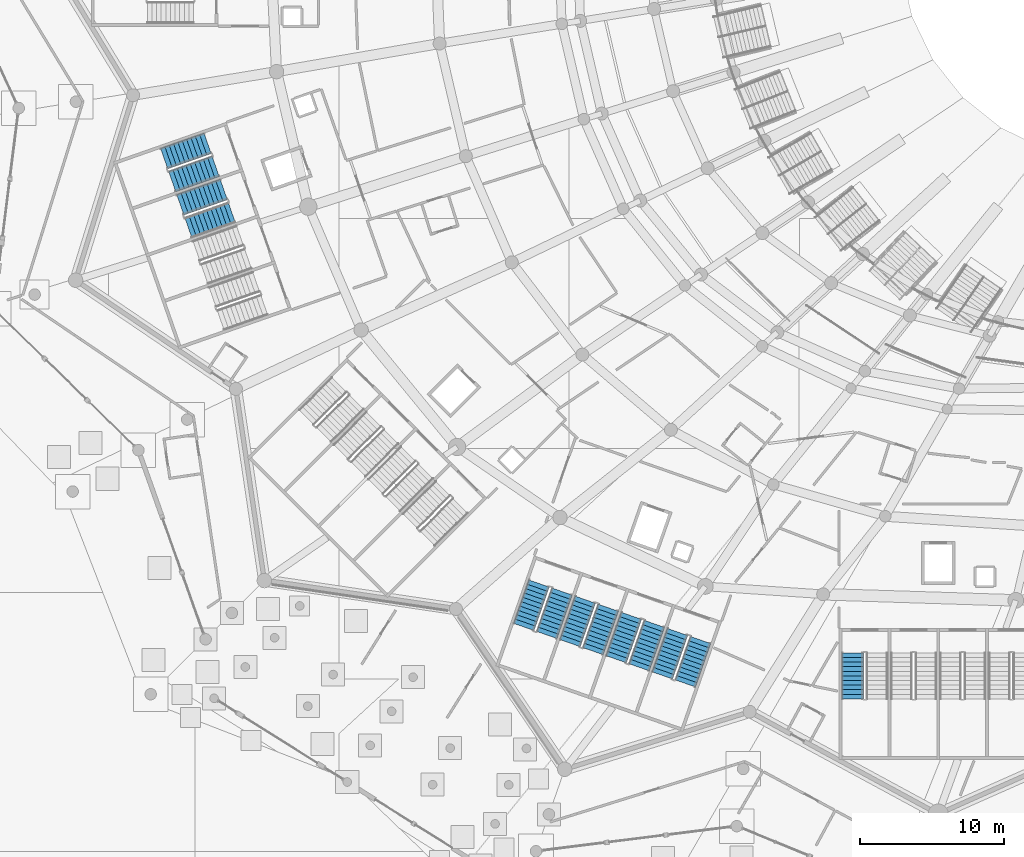
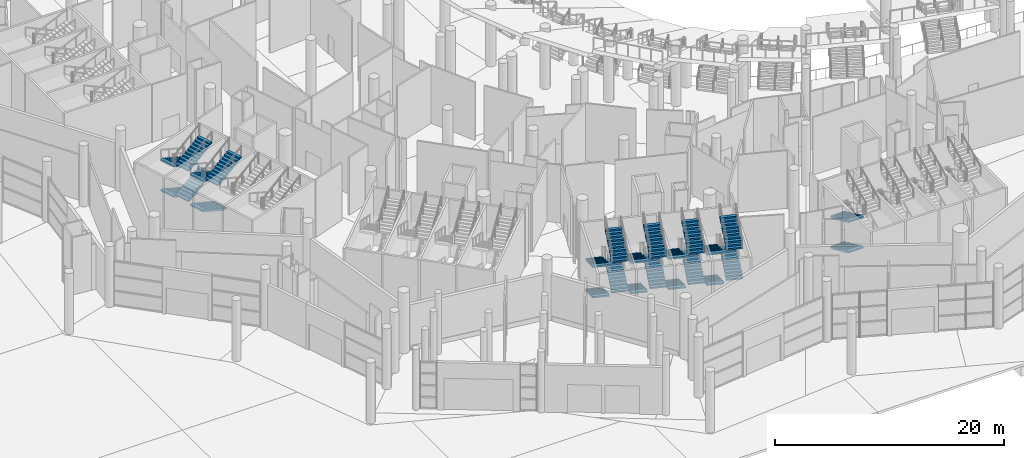
# One storey, part 160 of 255: 25 stair flights, 7 elements without a shape of their own.
"""IFC4 building model written with IfcOpenShell, lengths in metres."""

from ifc_helpers import new_model, si_unit, direction, frame, origin, place, context, subcontext, project, spatial, polyline, outline, extrude, material, type_object, element, aggregate, save


model = new_model("IFC4")

# Units and contexts
model_context = context("Model", 3, precision=1e-05, world=origin(), true_north=direction((0.0, 1.0)))
body_context = subcontext(model_context, "Body", "Model", "MODEL_VIEW")
ifc_project = project(units=[si_unit("LENGTHUNIT", "METRE"), si_unit("AREAUNIT", "SQUARE_METRE"), si_unit("VOLUMEUNIT", "CUBIC_METRE"), si_unit("PLANEANGLEUNIT", "RADIAN"), si_unit("MASSUNIT", "GRAM", prefix="KILO")], contexts=[model_context])

# Site, building, storey
site_placement = place(None, origin())
site = spatial("IfcSite", under=ifc_project, at=site_placement, CompositionType="ELEMENT")
building_placement = place(site_placement, origin())
building = spatial("IfcBuilding", under=site, at=building_placement, Name="Meseta Stadium", CompositionType="ELEMENT")
storey_placement = place(building_placement, origin())
storey = spatial("IfcBuildingStorey", under=building, at=storey_placement, Name="L00", CompositionType="ELEMENT", Elevation=0.0)

# Stair, stair flights
ifc_material_1 = material(Name="Concrete C40/50", Category="concrete")
stair_type = type_object("IfcStairType", Name="Exit stair 4 flights 148 mm risers", PredefinedType="HALF_TURN_STAIR", material=ifc_material_1)
stair_1_placement = place(storey_placement, origin())
stair_1 = element("IfcStair", 1, at=stair_1_placement, inside=storey, type_object=stair_type, Name="ST77 L00", PredefinedType="HALF_TURN_STAIR")
ifc_material_2 = material(Name="Concrete C40/50", Category="concrete")
stair_flight_type = type_object("IfcStairFlightType", Name="Exit stair flight 148 mm risers, 4 per storey", PredefinedType="STRAIGHT", material=ifc_material_2)
stair_flight_1_placement = place(storey_placement, frame((-89.118408203125, -58.7841796875, 0.0), z_axis=(0.0, 0.0, 1.0), x_axis=(-0.943883331955, -0.330279057248, 0.0)))
stair_flight_1 = element("IfcStairFlight", 2, at=stair_flight_1_placement, type_object=stair_flight_type, Name="ST77 L00 flight 1", NumberOfRisers=11, NumberOfTreads=10, PredefinedType="STRAIGHT", RiserHeight=0.147727273, TreadLength=0.32, context=body_context, shape_type="SweptSolid", body=[
    extrude(outline(polyline([(0.0, 0.0), (0.0, 0.147705078125), (0.320068359375, 0.147705078125), (0.320068359375, 0.29541015625), (0.639892578125, 0.29541015625), (0.639892578125, 0.443115234375), (0.9599609375, 0.443115234375), (0.9599609375, 0.5908203125), (1.280029296875, 0.5908203125), (1.280029296875, 0.738525390625), (1.60009765625, 0.738525390625), (1.60009765625, 0.886474609375), (1.919921875, 0.886474609375), (1.919921875, 1.0341796875), (2.239990234375, 1.0341796875), (2.239990234375, 1.181884765625), (2.56005859375, 1.181884765625), (2.56005859375, 1.32958984375), (2.8798828125, 1.32958984375), (2.8798828125, 1.477294921875), (3.199951171875, 1.477294921875), (3.199951171875, 1.312255859375), (0.357666015625, 0.0), (0.0, 0.0)])), frame((0.0, 0.75, 0.0), z_axis=(0.0, -1.0, 0.0), x_axis=(1.0, 0.0, 0.0)), (0.0, 0.0, 1.0), 1.5),
])
stair_flight_2_placement = place(storey_placement, frame((-91.577392578125, -61.445556640625, 1.625), z_axis=(0.0, 0.0, 1.0), x_axis=(0.943883331955, 0.330279057248, 0.0)))
stair_flight_2 = element("IfcStairFlight", 3, at=stair_flight_2_placement, type_object=stair_flight_type, Name="ST77 L00 flight 2", NumberOfRisers=11, NumberOfTreads=10, PredefinedType="STRAIGHT", RiserHeight=0.147727273, TreadLength=0.32, context=body_context, shape_type="SweptSolid", body=[
    extrude(outline(polyline([(0.0, 0.0), (0.0, 0.147705078125), (0.320068359375, 0.147705078125), (0.320068359375, 0.29541015625), (0.639892578125, 0.29541015625), (0.639892578125, 0.443115234375), (0.9599609375, 0.443115234375), (0.9599609375, 0.5908203125), (1.280029296875, 0.5908203125), (1.280029296875, 0.738525390625), (1.60009765625, 0.738525390625), (1.60009765625, 0.886474609375), (1.919921875, 0.886474609375), (1.919921875, 1.0341796875), (2.239990234375, 1.0341796875), (2.239990234375, 1.181884765625), (2.56005859375, 1.181884765625), (2.56005859375, 1.32958984375), (2.8798828125, 1.32958984375), (2.8798828125, 1.477294921875), (3.199951171875, 1.477294921875), (3.199951171875, 1.312255859375), (0.357666015625, 0.0), (0.0, 0.0)])), frame((0.0, 0.75, 0.0), z_axis=(0.0, -1.0, 0.0), x_axis=(1.0, 0.0, 0.0)), (0.0, 0.0, 1.0), 1.5),
])
stair_flight_3_placement = place(storey_placement, frame((-89.118408203125, -58.7841796875, 3.25), z_axis=(0.0, 0.0, 1.0), x_axis=(-0.943883331955, -0.330279057248, 0.0)))
stair_flight_3 = element("IfcStairFlight", 4, at=stair_flight_3_placement, type_object=stair_flight_type, Name="ST77 L00 flight 3", NumberOfRisers=11, NumberOfTreads=10, PredefinedType="STRAIGHT", RiserHeight=0.147727273, TreadLength=0.32, context=body_context, shape_type="SweptSolid", body=[
    extrude(outline(polyline([(0.0, 0.0), (0.0, 0.147705078125), (0.320068359375, 0.147705078125), (0.320068359375, 0.29541015625), (0.639892578125, 0.29541015625), (0.639892578125, 0.443115234375), (0.9599609375, 0.443115234375), (0.9599609375, 0.5908203125), (1.280029296875, 0.5908203125), (1.280029296875, 0.738525390625), (1.60009765625, 0.738525390625), (1.60009765625, 0.886474609375), (1.919921875, 0.886474609375), (1.919921875, 1.0341796875), (2.239990234375, 1.0341796875), (2.239990234375, 1.181884765625), (2.56005859375, 1.181884765625), (2.56005859375, 1.32958984375), (2.8798828125, 1.32958984375), (2.8798828125, 1.477294921875), (3.199951171875, 1.477294921875), (3.199951171875, 1.312255859375), (0.357666015625, 0.0), (0.0, 0.0)])), frame((0.0, 0.75, 0.0), z_axis=(0.0, -1.0, 0.0), x_axis=(1.0, 0.0, 0.0)), (0.0, 0.0, 1.0), 1.5),
])
stair_flight_4_placement = place(storey_placement, frame((-91.577392578125, -61.445556640625, 4.875), z_axis=(0.0, 0.0, 1.0), x_axis=(0.943883331955, 0.330279057248, 0.0)))
stair_flight_4 = element("IfcStairFlight", 5, at=stair_flight_4_placement, type_object=stair_flight_type, Name="ST77 L00 flight 4", NumberOfRisers=11, NumberOfTreads=10, PredefinedType="STRAIGHT", RiserHeight=0.147727273, TreadLength=0.32, context=body_context, shape_type="SweptSolid", body=[
    extrude(outline(polyline([(0.0, 0.0), (0.0, 0.147705078125), (0.320068359375, 0.147705078125), (0.320068359375, 0.29541015625), (0.639892578125, 0.29541015625), (0.639892578125, 0.443115234375), (0.9599609375, 0.443115234375), (0.9599609375, 0.5908203125), (1.280029296875, 0.5908203125), (1.280029296875, 0.738525390625), (1.60009765625, 0.738525390625), (1.60009765625, 0.886474609375), (1.919921875, 0.886474609375), (1.919921875, 1.0341796875), (2.239990234375, 1.0341796875), (2.239990234375, 1.181884765625), (2.56005859375, 1.181884765625), (2.56005859375, 1.32958984375), (2.8798828125, 1.32958984375), (2.8798828125, 1.477294921875), (3.199951171875, 1.477294921875), (3.199951171875, 1.312255859375), (0.357666015625, 0.0), (0.0, 0.0)])), frame((0.0, 0.75, 0.0), z_axis=(0.0, -1.0, 0.0), x_axis=(1.0, 0.0, 0.0)), (0.0, 0.0, 1.0), 1.5),
])
aggregate(stair_1, [stair_flight_1, stair_flight_2, stair_flight_3, stair_flight_4])

stair_2_placement = place(storey_placement, origin())
stair_2 = element("IfcStair", 6, at=stair_2_placement, inside=storey, type_object=stair_type, Name="ST78 L00", PredefinedType="HALF_TURN_STAIR")
stair_flight_5_placement = place(storey_placement, frame((-87.99560546875, -61.9931640625, 0.0), z_axis=(0.0, 0.0, 1.0), x_axis=(-0.943883331955, -0.330279057248, 0.0)))
stair_flight_5 = element("IfcStairFlight", 7, at=stair_flight_5_placement, type_object=stair_flight_type, Name="ST78 L00 flight 1", NumberOfRisers=11, NumberOfTreads=10, PredefinedType="STRAIGHT", RiserHeight=0.147727273, TreadLength=0.32, context=body_context, shape_type="SweptSolid", body=[
    extrude(outline(polyline([(0.0, 0.0), (0.0, 0.147705078125), (0.320068359375, 0.147705078125), (0.320068359375, 0.29541015625), (0.639892578125, 0.29541015625), (0.639892578125, 0.443115234375), (0.9599609375, 0.443115234375), (0.9599609375, 0.5908203125), (1.280029296875, 0.5908203125), (1.280029296875, 0.738525390625), (1.60009765625, 0.738525390625), (1.60009765625, 0.886474609375), (1.919921875, 0.886474609375), (1.919921875, 1.0341796875), (2.239990234375, 1.0341796875), (2.239990234375, 1.181884765625), (2.56005859375, 1.181884765625), (2.56005859375, 1.32958984375), (2.8798828125, 1.32958984375), (2.8798828125, 1.477294921875), (3.199951171875, 1.477294921875), (3.199951171875, 1.312255859375), (0.357666015625, 0.0), (0.0, 0.0)])), frame((0.0, 0.75, 0.0), z_axis=(0.0, -1.0, 0.0), x_axis=(1.0, 0.0, 0.0)), (0.0, 0.0, 1.0), 1.5),
])
stair_flight_6_placement = place(storey_placement, frame((-87.99560546875, -61.9931640625, 3.25), z_axis=(0.0, 0.0, 1.0), x_axis=(-0.943883331955, -0.330279057248, 0.0)))
stair_flight_6 = element("IfcStairFlight", 8, at=stair_flight_6_placement, type_object=stair_flight_type, Name="ST78 L00 flight 3", NumberOfRisers=11, NumberOfTreads=10, PredefinedType="STRAIGHT", RiserHeight=0.147727273, TreadLength=0.32, context=body_context, shape_type="SweptSolid", body=[
    extrude(outline(polyline([(0.0, 0.0), (0.0, 0.147705078125), (0.320068359375, 0.147705078125), (0.320068359375, 0.29541015625), (0.639892578125, 0.29541015625), (0.639892578125, 0.443115234375), (0.9599609375, 0.443115234375), (0.9599609375, 0.5908203125), (1.280029296875, 0.5908203125), (1.280029296875, 0.738525390625), (1.60009765625, 0.738525390625), (1.60009765625, 0.886474609375), (1.919921875, 0.886474609375), (1.919921875, 1.0341796875), (2.239990234375, 1.0341796875), (2.239990234375, 1.181884765625), (2.56005859375, 1.181884765625), (2.56005859375, 1.32958984375), (2.8798828125, 1.32958984375), (2.8798828125, 1.477294921875), (3.199951171875, 1.477294921875), (3.199951171875, 1.312255859375), (0.357666015625, 0.0), (0.0, 0.0)])), frame((0.0, 0.75, 0.0), z_axis=(0.0, -1.0, 0.0), x_axis=(1.0, 0.0, 0.0)), (0.0, 0.0, 1.0), 1.5),
])
stair_flight_7_placement = place(storey_placement, frame((-90.45458984375, -64.65478515625, 4.875), z_axis=(0.0, 0.0, 1.0), x_axis=(0.943883331955, 0.330279057248, 0.0)))
stair_flight_7 = element("IfcStairFlight", 9, at=stair_flight_7_placement, type_object=stair_flight_type, Name="ST78 L00 flight 4", NumberOfRisers=11, NumberOfTreads=10, PredefinedType="STRAIGHT", RiserHeight=0.147727273, TreadLength=0.32, context=body_context, shape_type="SweptSolid", body=[
    extrude(outline(polyline([(0.0, 0.0), (0.0, 0.147705078125), (0.320068359375, 0.147705078125), (0.320068359375, 0.29541015625), (0.639892578125, 0.29541015625), (0.639892578125, 0.443115234375), (0.9599609375, 0.443115234375), (0.9599609375, 0.5908203125), (1.280029296875, 0.5908203125), (1.280029296875, 0.738525390625), (1.60009765625, 0.738525390625), (1.60009765625, 0.886474609375), (1.919921875, 0.886474609375), (1.919921875, 1.0341796875), (2.239990234375, 1.0341796875), (2.239990234375, 1.181884765625), (2.56005859375, 1.181884765625), (2.56005859375, 1.32958984375), (2.8798828125, 1.32958984375), (2.8798828125, 1.477294921875), (3.199951171875, 1.477294921875), (3.199951171875, 1.312255859375), (0.357666015625, 0.0), (0.0, 0.0)])), frame((0.0, 0.75, 0.0), z_axis=(0.0, -1.0, 0.0), x_axis=(1.0, 0.0, 0.0)), (0.0, 0.0, 1.0), 1.5),
])
aggregate(stair_2, [stair_flight_5, stair_flight_6, stair_flight_7])

stair_3_placement = place(storey_placement, origin())
stair_3 = element("IfcStair", 10, at=stair_3_placement, inside=storey, type_object=stair_type, Name="ST85 L00", PredefinedType="HALF_TURN_STAIR")
stair_flight_8_placement = place(storey_placement, frame((-66.082275390625, -89.376953125, 0.0), z_axis=(0.0, 0.0, 1.0), x_axis=(-0.330279057248, -0.943883331955, 0.0)))
stair_flight_8 = element("IfcStairFlight", 11, at=stair_flight_8_placement, type_object=stair_flight_type, Name="ST85 L00 flight 1", NumberOfRisers=11, NumberOfTreads=10, PredefinedType="STRAIGHT", RiserHeight=0.147727273, TreadLength=0.32, context=body_context, shape_type="SweptSolid", body=[
    extrude(outline(polyline([(0.0, 0.0), (0.0, 0.147705078125), (0.320068359375, 0.147705078125), (0.320068359375, 0.29541015625), (0.639892578125, 0.29541015625), (0.639892578125, 0.443115234375), (0.9599609375, 0.443115234375), (0.9599609375, 0.5908203125), (1.280029296875, 0.5908203125), (1.280029296875, 0.738525390625), (1.60009765625, 0.738525390625), (1.60009765625, 0.886474609375), (1.919921875, 0.886474609375), (1.919921875, 1.0341796875), (2.239990234375, 1.0341796875), (2.239990234375, 1.181884765625), (2.56005859375, 1.181884765625), (2.56005859375, 1.32958984375), (2.8798828125, 1.32958984375), (2.8798828125, 1.477294921875), (3.199951171875, 1.477294921875), (3.199951171875, 1.312255859375), (0.357666015625, 0.0), (0.0, 0.0)])), frame((0.0, 0.75, 0.0), z_axis=(0.0, -1.0, 0.0), x_axis=(1.0, 0.0, 0.0)), (0.0, 0.0, 1.0), 1.5),
])
stair_flight_9_placement = place(storey_placement, frame((-65.53466796875, -92.958740234375, 1.625), z_axis=(0.0, 0.0, 1.0), x_axis=(0.330279057248, 0.943883331955, 0.0)))
stair_flight_9 = element("IfcStairFlight", 12, at=stair_flight_9_placement, type_object=stair_flight_type, Name="ST85 L00 flight 2", NumberOfRisers=11, NumberOfTreads=10, PredefinedType="STRAIGHT", RiserHeight=0.147727273, TreadLength=0.32, context=body_context, shape_type="SweptSolid", body=[
    extrude(outline(polyline([(0.0, 0.0), (0.0, 0.147705078125), (0.320068359375, 0.147705078125), (0.320068359375, 0.29541015625), (0.639892578125, 0.29541015625), (0.639892578125, 0.443115234375), (0.9599609375, 0.443115234375), (0.9599609375, 0.5908203125), (1.280029296875, 0.5908203125), (1.280029296875, 0.738525390625), (1.60009765625, 0.738525390625), (1.60009765625, 0.886474609375), (1.919921875, 0.886474609375), (1.919921875, 1.0341796875), (2.239990234375, 1.0341796875), (2.239990234375, 1.181884765625), (2.56005859375, 1.181884765625), (2.56005859375, 1.32958984375), (2.8798828125, 1.32958984375), (2.8798828125, 1.477294921875), (3.199951171875, 1.477294921875), (3.199951171875, 1.312255859375), (0.357666015625, 0.0), (0.0, 0.0)])), frame((0.0, 0.75, 0.0), z_axis=(0.0, -1.0, 0.0), x_axis=(1.0, 0.0, 0.0)), (0.0, 0.0, 1.0), 1.5),
])
stair_flight_10_placement = place(storey_placement, frame((-66.082275390625, -89.376953125, 3.25), z_axis=(0.0, 0.0, 1.0), x_axis=(-0.330279057248, -0.943883331955, 0.0)))
stair_flight_10 = element("IfcStairFlight", 13, at=stair_flight_10_placement, type_object=stair_flight_type, Name="ST85 L00 flight 3", NumberOfRisers=11, NumberOfTreads=10, PredefinedType="STRAIGHT", RiserHeight=0.147727273, TreadLength=0.32, context=body_context, shape_type="SweptSolid", body=[
    extrude(outline(polyline([(0.0, 0.0), (0.0, 0.147705078125), (0.320068359375, 0.147705078125), (0.320068359375, 0.29541015625), (0.639892578125, 0.29541015625), (0.639892578125, 0.443115234375), (0.9599609375, 0.443115234375), (0.9599609375, 0.5908203125), (1.280029296875, 0.5908203125), (1.280029296875, 0.738525390625), (1.60009765625, 0.738525390625), (1.60009765625, 0.886474609375), (1.919921875, 0.886474609375), (1.919921875, 1.0341796875), (2.239990234375, 1.0341796875), (2.239990234375, 1.181884765625), (2.56005859375, 1.181884765625), (2.56005859375, 1.32958984375), (2.8798828125, 1.32958984375), (2.8798828125, 1.477294921875), (3.199951171875, 1.477294921875), (3.199951171875, 1.312255859375), (0.357666015625, 0.0), (0.0, 0.0)])), frame((0.0, 0.75, 0.0), z_axis=(0.0, -1.0, 0.0), x_axis=(1.0, 0.0, 0.0)), (0.0, 0.0, 1.0), 1.5),
])
stair_flight_11_placement = place(storey_placement, frame((-65.53466796875, -92.958740234375, 4.875), z_axis=(0.0, 0.0, 1.0), x_axis=(0.330279057248, 0.943883331955, 0.0)))
stair_flight_11 = element("IfcStairFlight", 14, at=stair_flight_11_placement, type_object=stair_flight_type, Name="ST85 L00 flight 4", NumberOfRisers=11, NumberOfTreads=10, PredefinedType="STRAIGHT", RiserHeight=0.147727273, TreadLength=0.32, context=body_context, shape_type="SweptSolid", body=[
    extrude(outline(polyline([(0.0, 0.0), (0.0, 0.147705078125), (0.320068359375, 0.147705078125), (0.320068359375, 0.29541015625), (0.639892578125, 0.29541015625), (0.639892578125, 0.443115234375), (0.9599609375, 0.443115234375), (0.9599609375, 0.5908203125), (1.280029296875, 0.5908203125), (1.280029296875, 0.738525390625), (1.60009765625, 0.738525390625), (1.60009765625, 0.886474609375), (1.919921875, 0.886474609375), (1.919921875, 1.0341796875), (2.239990234375, 1.0341796875), (2.239990234375, 1.181884765625), (2.56005859375, 1.181884765625), (2.56005859375, 1.32958984375), (2.8798828125, 1.32958984375), (2.8798828125, 1.477294921875), (3.199951171875, 1.477294921875), (3.199951171875, 1.312255859375), (0.357666015625, 0.0), (0.0, 0.0)])), frame((0.0, 0.75, 0.0), z_axis=(0.0, -1.0, 0.0), x_axis=(1.0, 0.0, 0.0)), (0.0, 0.0, 1.0), 1.5),
])
aggregate(stair_3, [stair_flight_8, stair_flight_9, stair_flight_10, stair_flight_11])

stair_4_placement = place(storey_placement, origin())
stair_4 = element("IfcStair", 15, at=stair_4_placement, inside=storey, type_object=stair_type, Name="ST86 L00", PredefinedType="HALF_TURN_STAIR")
stair_flight_12_placement = place(storey_placement, frame((-62.873046875, -90.5, 0.0), z_axis=(0.0, 0.0, 1.0), x_axis=(-0.330279057248, -0.943883331955, 0.0)))
stair_flight_12 = element("IfcStairFlight", 16, at=stair_flight_12_placement, type_object=stair_flight_type, Name="ST86 L00 flight 1", NumberOfRisers=11, NumberOfTreads=10, PredefinedType="STRAIGHT", RiserHeight=0.147727273, TreadLength=0.32, context=body_context, shape_type="SweptSolid", body=[
    extrude(outline(polyline([(0.0, 0.0), (0.0, 0.147705078125), (0.320068359375, 0.147705078125), (0.320068359375, 0.29541015625), (0.639892578125, 0.29541015625), (0.639892578125, 0.443115234375), (0.9599609375, 0.443115234375), (0.9599609375, 0.5908203125), (1.280029296875, 0.5908203125), (1.280029296875, 0.738525390625), (1.60009765625, 0.738525390625), (1.60009765625, 0.886474609375), (1.919921875, 0.886474609375), (1.919921875, 1.0341796875), (2.239990234375, 1.0341796875), (2.239990234375, 1.181884765625), (2.56005859375, 1.181884765625), (2.56005859375, 1.32958984375), (2.8798828125, 1.32958984375), (2.8798828125, 1.477294921875), (3.199951171875, 1.477294921875), (3.199951171875, 1.312255859375), (0.357666015625, 0.0), (0.0, 0.0)])), frame((0.0, 0.75, 0.0), z_axis=(0.0, -1.0, 0.0), x_axis=(1.0, 0.0, 0.0)), (0.0, 0.0, 1.0), 1.5),
])
stair_flight_13_placement = place(storey_placement, frame((-62.325439453125, -94.081787109375, 1.625), z_axis=(0.0, 0.0, 1.0), x_axis=(0.330279057248, 0.943883331955, 0.0)))
stair_flight_13 = element("IfcStairFlight", 17, at=stair_flight_13_placement, type_object=stair_flight_type, Name="ST86 L00 flight 2", NumberOfRisers=11, NumberOfTreads=10, PredefinedType="STRAIGHT", RiserHeight=0.147727273, TreadLength=0.32, context=body_context, shape_type="SweptSolid", body=[
    extrude(outline(polyline([(0.0, 0.0), (0.0, 0.147705078125), (0.320068359375, 0.147705078125), (0.320068359375, 0.29541015625), (0.639892578125, 0.29541015625), (0.639892578125, 0.443115234375), (0.9599609375, 0.443115234375), (0.9599609375, 0.5908203125), (1.280029296875, 0.5908203125), (1.280029296875, 0.738525390625), (1.60009765625, 0.738525390625), (1.60009765625, 0.886474609375), (1.919921875, 0.886474609375), (1.919921875, 1.0341796875), (2.239990234375, 1.0341796875), (2.239990234375, 1.181884765625), (2.56005859375, 1.181884765625), (2.56005859375, 1.32958984375), (2.8798828125, 1.32958984375), (2.8798828125, 1.477294921875), (3.199951171875, 1.477294921875), (3.199951171875, 1.312255859375), (0.357666015625, 0.0), (0.0, 0.0)])), frame((0.0, 0.75, 0.0), z_axis=(0.0, -1.0, 0.0), x_axis=(1.0, 0.0, 0.0)), (0.0, 0.0, 1.0), 1.5),
])
stair_flight_14_placement = place(storey_placement, frame((-62.873046875, -90.5, 3.25), z_axis=(0.0, 0.0, 1.0), x_axis=(-0.330279057248, -0.943883331955, 0.0)))
stair_flight_14 = element("IfcStairFlight", 18, at=stair_flight_14_placement, type_object=stair_flight_type, Name="ST86 L00 flight 3", NumberOfRisers=11, NumberOfTreads=10, PredefinedType="STRAIGHT", RiserHeight=0.147727273, TreadLength=0.32, context=body_context, shape_type="SweptSolid", body=[
    extrude(outline(polyline([(0.0, 0.0), (0.0, 0.147705078125), (0.320068359375, 0.147705078125), (0.320068359375, 0.29541015625), (0.639892578125, 0.29541015625), (0.639892578125, 0.443115234375), (0.9599609375, 0.443115234375), (0.9599609375, 0.5908203125), (1.280029296875, 0.5908203125), (1.280029296875, 0.738525390625), (1.60009765625, 0.738525390625), (1.60009765625, 0.886474609375), (1.919921875, 0.886474609375), (1.919921875, 1.0341796875), (2.239990234375, 1.0341796875), (2.239990234375, 1.181884765625), (2.56005859375, 1.181884765625), (2.56005859375, 1.32958984375), (2.8798828125, 1.32958984375), (2.8798828125, 1.477294921875), (3.199951171875, 1.477294921875), (3.199951171875, 1.312255859375), (0.357666015625, 0.0), (0.0, 0.0)])), frame((0.0, 0.75, 0.0), z_axis=(0.0, -1.0, 0.0), x_axis=(1.0, 0.0, 0.0)), (0.0, 0.0, 1.0), 1.5),
])
stair_flight_15_placement = place(storey_placement, frame((-62.325439453125, -94.081787109375, 4.875), z_axis=(0.0, 0.0, 1.0), x_axis=(0.330279057248, 0.943883331955, 0.0)))
stair_flight_15 = element("IfcStairFlight", 19, at=stair_flight_15_placement, type_object=stair_flight_type, Name="ST86 L00 flight 4", NumberOfRisers=11, NumberOfTreads=10, PredefinedType="STRAIGHT", RiserHeight=0.147727273, TreadLength=0.32, context=body_context, shape_type="SweptSolid", body=[
    extrude(outline(polyline([(0.0, 0.0), (0.0, 0.147705078125), (0.320068359375, 0.147705078125), (0.320068359375, 0.29541015625), (0.639892578125, 0.29541015625), (0.639892578125, 0.443115234375), (0.9599609375, 0.443115234375), (0.9599609375, 0.5908203125), (1.280029296875, 0.5908203125), (1.280029296875, 0.738525390625), (1.60009765625, 0.738525390625), (1.60009765625, 0.886474609375), (1.919921875, 0.886474609375), (1.919921875, 1.0341796875), (2.239990234375, 1.0341796875), (2.239990234375, 1.181884765625), (2.56005859375, 1.181884765625), (2.56005859375, 1.32958984375), (2.8798828125, 1.32958984375), (2.8798828125, 1.477294921875), (3.199951171875, 1.477294921875), (3.199951171875, 1.312255859375), (0.357666015625, 0.0), (0.0, 0.0)])), frame((0.0, 0.75, 0.0), z_axis=(0.0, -1.0, 0.0), x_axis=(1.0, 0.0, 0.0)), (0.0, 0.0, 1.0), 1.5),
])
aggregate(stair_4, [stair_flight_12, stair_flight_13, stair_flight_14, stair_flight_15])

stair_5_placement = place(storey_placement, origin())
stair_5 = element("IfcStair", 20, at=stair_5_placement, inside=storey, type_object=stair_type, Name="ST87 L00", PredefinedType="HALF_TURN_STAIR")
stair_flight_16_placement = place(storey_placement, frame((-59.663818359375, -91.622802734375, 0.0), z_axis=(0.0, 0.0, 1.0), x_axis=(-0.330279057248, -0.943883331955, 0.0)))
stair_flight_16 = element("IfcStairFlight", 21, at=stair_flight_16_placement, type_object=stair_flight_type, Name="ST87 L00 flight 1", NumberOfRisers=11, NumberOfTreads=10, PredefinedType="STRAIGHT", RiserHeight=0.147727273, TreadLength=0.32, context=body_context, shape_type="SweptSolid", body=[
    extrude(outline(polyline([(0.0, 0.0), (0.0, 0.147705078125), (0.320068359375, 0.147705078125), (0.320068359375, 0.29541015625), (0.639892578125, 0.29541015625), (0.639892578125, 0.443115234375), (0.9599609375, 0.443115234375), (0.9599609375, 0.5908203125), (1.280029296875, 0.5908203125), (1.280029296875, 0.738525390625), (1.60009765625, 0.738525390625), (1.60009765625, 0.886474609375), (1.919921875, 0.886474609375), (1.919921875, 1.0341796875), (2.239990234375, 1.0341796875), (2.239990234375, 1.181884765625), (2.56005859375, 1.181884765625), (2.56005859375, 1.32958984375), (2.8798828125, 1.32958984375), (2.8798828125, 1.477294921875), (3.199951171875, 1.477294921875), (3.199951171875, 1.312255859375), (0.357666015625, 0.0), (0.0, 0.0)])), frame((0.0, 0.75, 0.0), z_axis=(0.0, -1.0, 0.0), x_axis=(1.0, 0.0, 0.0)), (0.0, 0.0, 1.0), 1.5),
])
stair_flight_17_placement = place(storey_placement, frame((-59.1162109375, -95.204833984375, 1.625), z_axis=(0.0, 0.0, 1.0), x_axis=(0.330279057248, 0.943883331955, 0.0)))
stair_flight_17 = element("IfcStairFlight", 22, at=stair_flight_17_placement, type_object=stair_flight_type, Name="ST87 L00 flight 2", NumberOfRisers=11, NumberOfTreads=10, PredefinedType="STRAIGHT", RiserHeight=0.147727273, TreadLength=0.32, context=body_context, shape_type="SweptSolid", body=[
    extrude(outline(polyline([(0.0, 0.0), (0.0, 0.147705078125), (0.320068359375, 0.147705078125), (0.320068359375, 0.29541015625), (0.639892578125, 0.29541015625), (0.639892578125, 0.443115234375), (0.9599609375, 0.443115234375), (0.9599609375, 0.5908203125), (1.280029296875, 0.5908203125), (1.280029296875, 0.738525390625), (1.60009765625, 0.738525390625), (1.60009765625, 0.886474609375), (1.919921875, 0.886474609375), (1.919921875, 1.0341796875), (2.239990234375, 1.0341796875), (2.239990234375, 1.181884765625), (2.56005859375, 1.181884765625), (2.56005859375, 1.32958984375), (2.8798828125, 1.32958984375), (2.8798828125, 1.477294921875), (3.199951171875, 1.477294921875), (3.199951171875, 1.312255859375), (0.357666015625, 0.0), (0.0, 0.0)])), frame((0.0, 0.75, 0.0), z_axis=(0.0, -1.0, 0.0), x_axis=(1.0, 0.0, 0.0)), (0.0, 0.0, 1.0), 1.5),
])
stair_flight_18_placement = place(storey_placement, frame((-59.663818359375, -91.622802734375, 3.25), z_axis=(0.0, 0.0, 1.0), x_axis=(-0.330279057248, -0.943883331955, 0.0)))
stair_flight_18 = element("IfcStairFlight", 23, at=stair_flight_18_placement, type_object=stair_flight_type, Name="ST87 L00 flight 3", NumberOfRisers=11, NumberOfTreads=10, PredefinedType="STRAIGHT", RiserHeight=0.147727273, TreadLength=0.32, context=body_context, shape_type="SweptSolid", body=[
    extrude(outline(polyline([(0.0, 0.0), (0.0, 0.147705078125), (0.320068359375, 0.147705078125), (0.320068359375, 0.29541015625), (0.639892578125, 0.29541015625), (0.639892578125, 0.443115234375), (0.9599609375, 0.443115234375), (0.9599609375, 0.5908203125), (1.280029296875, 0.5908203125), (1.280029296875, 0.738525390625), (1.60009765625, 0.738525390625), (1.60009765625, 0.886474609375), (1.919921875, 0.886474609375), (1.919921875, 1.0341796875), (2.239990234375, 1.0341796875), (2.239990234375, 1.181884765625), (2.56005859375, 1.181884765625), (2.56005859375, 1.32958984375), (2.8798828125, 1.32958984375), (2.8798828125, 1.477294921875), (3.199951171875, 1.477294921875), (3.199951171875, 1.312255859375), (0.357666015625, 0.0), (0.0, 0.0)])), frame((0.0, 0.75, 0.0), z_axis=(0.0, -1.0, 0.0), x_axis=(1.0, 0.0, 0.0)), (0.0, 0.0, 1.0), 1.5),
])
stair_flight_19_placement = place(storey_placement, frame((-59.1162109375, -95.204833984375, 4.875), z_axis=(0.0, 0.0, 1.0), x_axis=(0.330279057248, 0.943883331955, 0.0)))
stair_flight_19 = element("IfcStairFlight", 24, at=stair_flight_19_placement, type_object=stair_flight_type, Name="ST87 L00 flight 4", NumberOfRisers=11, NumberOfTreads=10, PredefinedType="STRAIGHT", RiserHeight=0.147727273, TreadLength=0.32, context=body_context, shape_type="SweptSolid", body=[
    extrude(outline(polyline([(0.0, 0.0), (0.0, 0.147705078125), (0.320068359375, 0.147705078125), (0.320068359375, 0.29541015625), (0.639892578125, 0.29541015625), (0.639892578125, 0.443115234375), (0.9599609375, 0.443115234375), (0.9599609375, 0.5908203125), (1.280029296875, 0.5908203125), (1.280029296875, 0.738525390625), (1.60009765625, 0.738525390625), (1.60009765625, 0.886474609375), (1.919921875, 0.886474609375), (1.919921875, 1.0341796875), (2.239990234375, 1.0341796875), (2.239990234375, 1.181884765625), (2.56005859375, 1.181884765625), (2.56005859375, 1.32958984375), (2.8798828125, 1.32958984375), (2.8798828125, 1.477294921875), (3.199951171875, 1.477294921875), (3.199951171875, 1.312255859375), (0.357666015625, 0.0), (0.0, 0.0)])), frame((0.0, 0.75, 0.0), z_axis=(0.0, -1.0, 0.0), x_axis=(1.0, 0.0, 0.0)), (0.0, 0.0, 1.0), 1.5),
])
aggregate(stair_5, [stair_flight_16, stair_flight_17, stair_flight_18, stair_flight_19])

stair_6_placement = place(storey_placement, origin())
stair_6 = element("IfcStair", 25, at=stair_6_placement, inside=storey, type_object=stair_type, Name="ST88 L00", PredefinedType="HALF_TURN_STAIR")
stair_flight_20_placement = place(storey_placement, frame((-56.454833984375, -92.745849609375, 0.0), z_axis=(0.0, 0.0, 1.0), x_axis=(-0.330279057248, -0.943883331955, 0.0)))
stair_flight_20 = element("IfcStairFlight", 26, at=stair_flight_20_placement, type_object=stair_flight_type, Name="ST88 L00 flight 1", NumberOfRisers=11, NumberOfTreads=10, PredefinedType="STRAIGHT", RiserHeight=0.147727273, TreadLength=0.32, context=body_context, shape_type="SweptSolid", body=[
    extrude(outline(polyline([(0.0, 0.0), (0.0, 0.147705078125), (0.320068359375, 0.147705078125), (0.320068359375, 0.29541015625), (0.639892578125, 0.29541015625), (0.639892578125, 0.443115234375), (0.9599609375, 0.443115234375), (0.9599609375, 0.5908203125), (1.280029296875, 0.5908203125), (1.280029296875, 0.738525390625), (1.60009765625, 0.738525390625), (1.60009765625, 0.886474609375), (1.919921875, 0.886474609375), (1.919921875, 1.0341796875), (2.239990234375, 1.0341796875), (2.239990234375, 1.181884765625), (2.56005859375, 1.181884765625), (2.56005859375, 1.32958984375), (2.8798828125, 1.32958984375), (2.8798828125, 1.477294921875), (3.199951171875, 1.477294921875), (3.199951171875, 1.312255859375), (0.357666015625, 0.0), (0.0, 0.0)])), frame((0.0, 0.75, 0.0), z_axis=(0.0, -1.0, 0.0), x_axis=(1.0, 0.0, 0.0)), (0.0, 0.0, 1.0), 1.5),
])
stair_flight_21_placement = place(storey_placement, frame((-55.906982421875, -96.32763671875, 1.625), z_axis=(0.0, 0.0, 1.0), x_axis=(0.330279057248, 0.943883331955, 0.0)))
stair_flight_21 = element("IfcStairFlight", 27, at=stair_flight_21_placement, type_object=stair_flight_type, Name="ST88 L00 flight 2", NumberOfRisers=11, NumberOfTreads=10, PredefinedType="STRAIGHT", RiserHeight=0.147727273, TreadLength=0.32, context=body_context, shape_type="SweptSolid", body=[
    extrude(outline(polyline([(0.0, 0.0), (0.0, 0.147705078125), (0.320068359375, 0.147705078125), (0.320068359375, 0.29541015625), (0.639892578125, 0.29541015625), (0.639892578125, 0.443115234375), (0.9599609375, 0.443115234375), (0.9599609375, 0.5908203125), (1.280029296875, 0.5908203125), (1.280029296875, 0.738525390625), (1.60009765625, 0.738525390625), (1.60009765625, 0.886474609375), (1.919921875, 0.886474609375), (1.919921875, 1.0341796875), (2.239990234375, 1.0341796875), (2.239990234375, 1.181884765625), (2.56005859375, 1.181884765625), (2.56005859375, 1.32958984375), (2.8798828125, 1.32958984375), (2.8798828125, 1.477294921875), (3.199951171875, 1.477294921875), (3.199951171875, 1.312255859375), (0.357666015625, 0.0), (0.0, 0.0)])), frame((0.0, 0.75, 0.0), z_axis=(0.0, -1.0, 0.0), x_axis=(1.0, 0.0, 0.0)), (0.0, 0.0, 1.0), 1.5),
])
stair_flight_22_placement = place(storey_placement, frame((-56.454833984375, -92.745849609375, 3.25), z_axis=(0.0, 0.0, 1.0), x_axis=(-0.330279057248, -0.943883331955, 0.0)))
stair_flight_22 = element("IfcStairFlight", 28, at=stair_flight_22_placement, type_object=stair_flight_type, Name="ST88 L00 flight 3", NumberOfRisers=11, NumberOfTreads=10, PredefinedType="STRAIGHT", RiserHeight=0.147727273, TreadLength=0.32, context=body_context, shape_type="SweptSolid", body=[
    extrude(outline(polyline([(0.0, 0.0), (0.0, 0.147705078125), (0.320068359375, 0.147705078125), (0.320068359375, 0.29541015625), (0.639892578125, 0.29541015625), (0.639892578125, 0.443115234375), (0.9599609375, 0.443115234375), (0.9599609375, 0.5908203125), (1.280029296875, 0.5908203125), (1.280029296875, 0.738525390625), (1.60009765625, 0.738525390625), (1.60009765625, 0.886474609375), (1.919921875, 0.886474609375), (1.919921875, 1.0341796875), (2.239990234375, 1.0341796875), (2.239990234375, 1.181884765625), (2.56005859375, 1.181884765625), (2.56005859375, 1.32958984375), (2.8798828125, 1.32958984375), (2.8798828125, 1.477294921875), (3.199951171875, 1.477294921875), (3.199951171875, 1.312255859375), (0.357666015625, 0.0), (0.0, 0.0)])), frame((0.0, 0.75, 0.0), z_axis=(0.0, -1.0, 0.0), x_axis=(1.0, 0.0, 0.0)), (0.0, 0.0, 1.0), 1.5),
])
stair_flight_23_placement = place(storey_placement, frame((-55.906982421875, -96.32763671875, 4.875), z_axis=(0.0, 0.0, 1.0), x_axis=(0.330279057248, 0.943883331955, 0.0)))
stair_flight_23 = element("IfcStairFlight", 29, at=stair_flight_23_placement, type_object=stair_flight_type, Name="ST88 L00 flight 4", NumberOfRisers=11, NumberOfTreads=10, PredefinedType="STRAIGHT", RiserHeight=0.147727273, TreadLength=0.32, context=body_context, shape_type="SweptSolid", body=[
    extrude(outline(polyline([(0.0, 0.0), (0.0, 0.147705078125), (0.320068359375, 0.147705078125), (0.320068359375, 0.29541015625), (0.639892578125, 0.29541015625), (0.639892578125, 0.443115234375), (0.9599609375, 0.443115234375), (0.9599609375, 0.5908203125), (1.280029296875, 0.5908203125), (1.280029296875, 0.738525390625), (1.60009765625, 0.738525390625), (1.60009765625, 0.886474609375), (1.919921875, 0.886474609375), (1.919921875, 1.0341796875), (2.239990234375, 1.0341796875), (2.239990234375, 1.181884765625), (2.56005859375, 1.181884765625), (2.56005859375, 1.32958984375), (2.8798828125, 1.32958984375), (2.8798828125, 1.477294921875), (3.199951171875, 1.477294921875), (3.199951171875, 1.312255859375), (0.357666015625, 0.0), (0.0, 0.0)])), frame((0.0, 0.75, 0.0), z_axis=(0.0, -1.0, 0.0), x_axis=(1.0, 0.0, 0.0)), (0.0, 0.0, 1.0), 1.5),
])
aggregate(stair_6, [stair_flight_20, stair_flight_21, stair_flight_22, stair_flight_23])

stair_7_placement = place(storey_placement, origin())
stair_7 = element("IfcStair", 30, at=stair_7_placement, inside=storey, type_object=stair_type, Name="ST89 L00", PredefinedType="HALF_TURN_STAIR")
stair_flight_24_placement = place(storey_placement, frame((-44.283447265625, -94.199951171875, 0.0), z_axis=(0.0, 0.0, 1.0), x_axis=(0.0, -1.0, 0.0)))
stair_flight_24 = element("IfcStairFlight", 31, at=stair_flight_24_placement, type_object=stair_flight_type, Name="ST89 L00 flight 1", NumberOfRisers=11, NumberOfTreads=10, PredefinedType="STRAIGHT", RiserHeight=0.147727273, TreadLength=0.32, context=body_context, shape_type="SweptSolid", body=[
    extrude(outline(polyline([(0.0, 0.0), (0.0, 0.147705078125), (0.320068359375, 0.147705078125), (0.320068359375, 0.29541015625), (0.639892578125, 0.29541015625), (0.639892578125, 0.443115234375), (0.9599609375, 0.443115234375), (0.9599609375, 0.5908203125), (1.280029296875, 0.5908203125), (1.280029296875, 0.738525390625), (1.60009765625, 0.738525390625), (1.60009765625, 0.886474609375), (1.919921875, 0.886474609375), (1.919921875, 1.0341796875), (2.239990234375, 1.0341796875), (2.239990234375, 1.181884765625), (2.56005859375, 1.181884765625), (2.56005859375, 1.32958984375), (2.8798828125, 1.32958984375), (2.8798828125, 1.477294921875), (3.199951171875, 1.477294921875), (3.199951171875, 1.312255859375), (0.357666015625, 0.0), (0.0, 0.0)])), frame((0.0, 0.75, 0.0), z_axis=(0.0, -1.0, 0.0), x_axis=(1.0, 0.0, 0.0)), (0.0, 0.0, 1.0), 1.5),
])
stair_flight_25_placement = place(storey_placement, frame((-44.283447265625, -94.199951171875, 3.25), z_axis=(0.0, 0.0, 1.0), x_axis=(0.0, -1.0, 0.0)))
stair_flight_25 = element("IfcStairFlight", 32, at=stair_flight_25_placement, type_object=stair_flight_type, Name="ST89 L00 flight 3", NumberOfRisers=11, NumberOfTreads=10, PredefinedType="STRAIGHT", RiserHeight=0.147727273, TreadLength=0.32, context=body_context, shape_type="SweptSolid", body=[
    extrude(outline(polyline([(0.0, 0.0), (0.0, 0.147705078125), (0.320068359375, 0.147705078125), (0.320068359375, 0.29541015625), (0.639892578125, 0.29541015625), (0.639892578125, 0.443115234375), (0.9599609375, 0.443115234375), (0.9599609375, 0.5908203125), (1.280029296875, 0.5908203125), (1.280029296875, 0.738525390625), (1.60009765625, 0.738525390625), (1.60009765625, 0.886474609375), (1.919921875, 0.886474609375), (1.919921875, 1.0341796875), (2.239990234375, 1.0341796875), (2.239990234375, 1.181884765625), (2.56005859375, 1.181884765625), (2.56005859375, 1.32958984375), (2.8798828125, 1.32958984375), (2.8798828125, 1.477294921875), (3.199951171875, 1.477294921875), (3.199951171875, 1.312255859375), (0.357666015625, 0.0), (0.0, 0.0)])), frame((0.0, 0.75, 0.0), z_axis=(0.0, -1.0, 0.0), x_axis=(1.0, 0.0, 0.0)), (0.0, 0.0, 1.0), 1.5),
])
aggregate(stair_7, [stair_flight_24, stair_flight_25])

save(model, "model.ifc")
